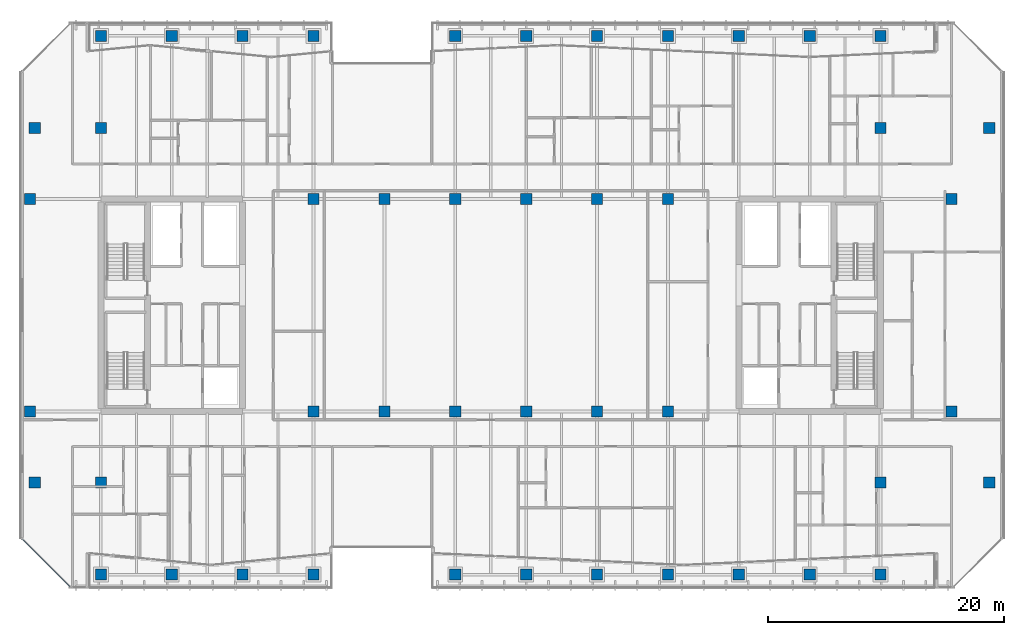
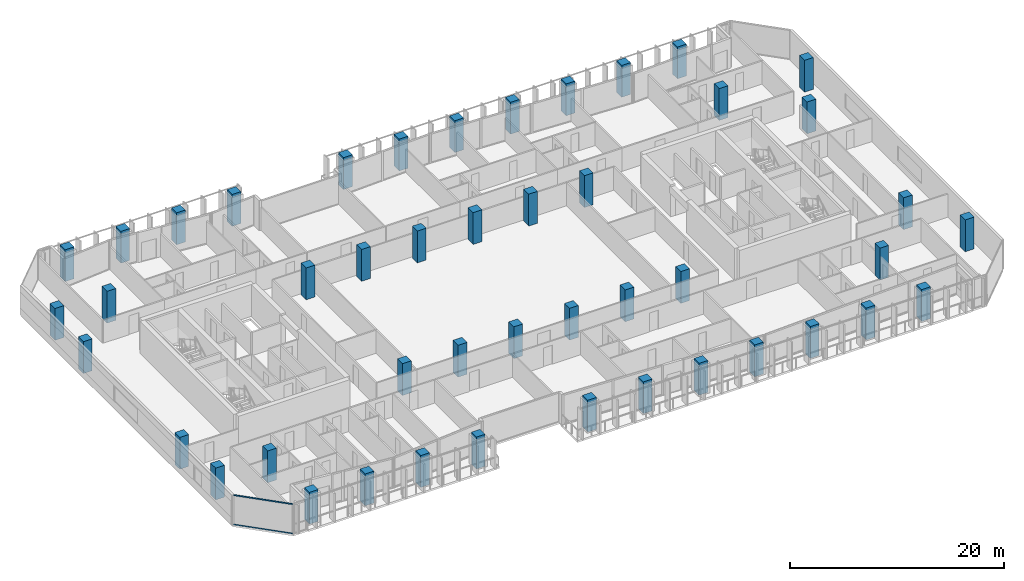
# One storey, part 1 of 39: 46 columns, 2 members, 1 element without a shape of its own.
"""IFC4 building model written with IfcOpenShell, lengths in metres."""

from ifc_helpers import new_model, si_unit, direction, frame, origin, origin_2d, place, context, subcontext, project, spatial, rectangle, hollow_rectangle, extrude, material, layer, layer_set, material_profile, profile_set, type_object, element, aggregate, save


model = new_model("IFC4")

# Units and contexts
model_context = context("Model", 3, precision=1e-05, world=origin(), true_north=direction((0.0, 1.0)))
body_context = subcontext(model_context, "Body", "Model", "MODEL_VIEW")
ifc_project = project(units=[si_unit("LENGTHUNIT", "METRE"), si_unit("AREAUNIT", "SQUARE_METRE"), si_unit("VOLUMEUNIT", "CUBIC_METRE"), si_unit("PLANEANGLEUNIT", "RADIAN"), si_unit("MASSUNIT", "GRAM", prefix="KILO")], contexts=[model_context])

# Site, building, storey
site_placement = place(None, origin())
site = spatial("IfcSite", under=ifc_project, at=site_placement, CompositionType="ELEMENT")
building_placement = place(site_placement, origin())
building = spatial("IfcBuilding", under=site, at=building_placement, Name="Tanjung Sevakor Pilgrim Tower", CompositionType="ELEMENT")
storey_placement = place(building_placement, frame((0.0, 0.0, 108.570068359375)))
storey = spatial("IfcBuildingStorey", under=building, at=storey_placement, Name="L30", CompositionType="ELEMENT", Elevation=108.570068359375)

# Columns
ifc_material_1 = material(Name="Concrete C60/75", Category="concrete")
ifc_material_profile_1 = material_profile(ifc_material_1, rectangle(XDim=0.949951171875, YDim=0.949951171875, at=origin_2d()))
ifc_profile_set_1 = profile_set([ifc_material_profile_1], Name="Concrete C60/75")
column_type = type_object("IfcColumnType", Name="COL-C-T950-RC_950x950", PredefinedType="COLUMN", material=ifc_profile_set_1)
for number, where, z_axis, x_axis, name in (
    (1, (18.0, 24.60009765625, 0.0), (0.0, 0.0, 1.0), (1.0, 0.0, 0.0), "L30 Column SPW-018-246"),
    (2, (18.0, 42.60009765625, 0.0), (0.0, 0.0, 1.0), (1.0, 0.0, 0.0), "L30 Column SPW-018-426"),
    (3, (42.0, 24.60009765625, 0.0), (0.0, 0.0, 1.0), (1.0, 0.0, 0.0), "L30 Column SPW-042-246"),
    (4, (42.0, 42.60009765625, 0.0), (0.0, 0.0, 1.0), (1.0, 0.0, 0.0), "L30 Column SPW-042-426"),
    (5, (48.0, 24.60009765625, 0.0), (0.0, 0.0, 1.0), (1.0, 0.0, 0.0), "L30 Column SPW-048-246"),
    (6, (48.0, 42.60009765625, 0.0), (0.0, 0.0, 1.0), (1.0, 0.0, 0.0), "L30 Column SPW-048-426"),
    (7, (54.0, 24.60009765625, 0.0), (0.0, 0.0, 1.0), (1.0, 0.0, 0.0), "L30 Column SPE-054-246"),
    (8, (54.0, 42.60009765625, 0.0), (0.0, 0.0, 1.0), (1.0, 0.0, 0.0), "L30 Column SPE-054-426"),
    (9, (60.0, 24.60009765625, 0.0), (0.0, 0.0, 1.0), (1.0, 0.0, 0.0), "L30 Column SPE-060-246"),
    (10, (60.0, 42.60009765625, 0.0), (0.0, 0.0, 1.0), (1.0, 0.0, 0.0), "L30 Column SPE-060-426"),
    (11, (66.0, 24.60009765625, 0.0), (0.0, 0.0, 1.0), (1.0, 0.0, 0.0), "L30 Column SPE-066-246"),
    (12, (66.0, 42.60009765625, 0.0), (0.0, 0.0, 1.0), (1.0, 0.0, 0.0), "L30 Column SPE-066-426"),
    (13, (72.0, 24.60009765625, 0.0), (0.0, 0.0, 1.0), (1.0, 0.0, 0.0), "L30 Column SPE-072-246"),
    (14, (72.0, 42.60009765625, 0.0), (0.0, 0.0, 1.0), (1.0, 0.0, 0.0), "L30 Column SPE-072-426"),
    (15, (96.0, 24.60009765625, 0.0), (0.0, 0.0, 1.0), (1.0, 0.0, 0.0), "L30 Column SPE-096-246"),
    (16, (96.0, 42.60009765625, 0.0), (0.0, 0.0, 1.0), (1.0, 0.0, 0.0), "L30 Column SPE-096-426"),
    (17, (18.39990234375, 18.60009765625, 0.0), (0.0, 0.0, 1.0), (1.0, 0.0, 0.0), "L30 Column TCE-0184-186"),
    (18, (18.39990234375, 48.60009765625, 0.0), (0.0, 0.0, 1.0), (1.0, 0.0, 0.0), "L30 Column TCE-0184-486"),
    (19, (24.0, 18.60009765625, 0.0), (0.0, 0.0, 1.0), (1.0, 0.0, 0.0), "L30 Column TCE-0240-186"),
    (20, (24.0, 48.60009765625, 0.0), (0.0, 0.0, 1.0), (1.0, 0.0, 0.0), "L30 Column TCE-0240-486"),
    (21, (90.0, 18.60009765625, 0.0), (0.0, 0.0, 1.0), (1.0, 0.0, 0.0), "L30 Column TCE-0900-186"),
    (22, (90.0, 48.60009765625, 0.0), (0.0, 0.0, 1.0), (1.0, 0.0, 0.0), "L30 Column TCE-0900-486"),
    (23, (99.199951171875, 18.60009765625, 0.0), (0.0, 0.0, 1.0), (1.0, 0.0, 0.0), "L30 Column TCE-0992-186"),
    (24, (99.199951171875, 48.60009765625, 0.0), (0.0, 0.0, 1.0), (1.0, 0.0, 0.0), "L30 Column TCE-0992-486"),
    (25, (24.0, 10.800048828125, 0.0), (0.0, 0.0, 1.0), (1.0, 0.0, 0.0), "L30 Column TC2-024-108"),
    (26, (24.0, 56.39990234375, 0.0), (0.0, 0.0, 1.0), (1.0, 0.0, 0.0), "L30 Column TC2-024-564"),
    (27, (30.0, 10.800048828125, 0.0), (0.0, 0.0, 1.0), (1.0, 0.0, 0.0), "L30 Column TC2-030-108"),
    (28, (30.0, 56.39990234375, 0.0), (0.0, 0.0, 1.0), (1.0, 0.0, 0.0), "L30 Column TC2-030-564"),
    (29, (36.0, 10.800048828125, 0.0), (0.0, 0.0, 1.0), (1.0, 0.0, 0.0), "L30 Column TC2-036-108"),
    (30, (36.0, 56.39990234375, 0.0), (0.0, 0.0, 1.0), (1.0, 0.0, 0.0), "L30 Column TC2-036-564"),
    (31, (42.0, 10.800048828125, 0.0), (0.0, 0.0, 1.0), (1.0, 0.0, 0.0), "L30 Column TC2-042-108"),
    (32, (42.0, 56.39990234375, 0.0), (0.0, 0.0, 1.0), (1.0, 0.0, 0.0), "L30 Column TC2-042-564"),
    (33, (54.0, 10.800048828125, 0.0), (0.0, 0.0, 1.0), (1.0, 0.0, 0.0), "L30 Column TC2-054-108"),
    (34, (54.0, 56.39990234375, 0.0), (0.0, 0.0, 1.0), (1.0, 0.0, 0.0), "L30 Column TC2-054-564"),
    (35, (60.0, 10.800048828125, 0.0), (0.0, 0.0, 1.0), (1.0, 0.0, 0.0), "L30 Column TC2-060-108"),
    (36, (60.0, 56.39990234375, 0.0), (0.0, 0.0, 1.0), (1.0, 0.0, 0.0), "L30 Column TC2-060-564"),
    (37, (66.0, 10.800048828125, 0.0), (0.0, 0.0, 1.0), (1.0, 0.0, 0.0), "L30 Column TC2-066-108"),
    (38, (66.0, 56.39990234375, 0.0), (0.0, 0.0, 1.0), (1.0, 0.0, 0.0), "L30 Column TC2-066-564"),
    (39, (72.0, 10.800048828125, 0.0), (0.0, 0.0, 1.0), (1.0, 0.0, 0.0), "L30 Column TC2-072-108"),
    (40, (72.0, 56.39990234375, 0.0), (0.0, 0.0, 1.0), (1.0, 0.0, 0.0), "L30 Column TC2-072-564"),
    (41, (78.0, 10.800048828125, 0.0), (0.0, 0.0, 1.0), (1.0, 0.0, 0.0), "L30 Column TC2-078-108"),
    (42, (78.0, 56.39990234375, 0.0), (0.0, 0.0, 1.0), (1.0, 0.0, 0.0), "L30 Column TC2-078-564"),
    (43, (84.0, 10.800048828125, 0.0), (0.0, 0.0, 1.0), (1.0, 0.0, 0.0), "L30 Column TC2-084-108"),
    (44, (84.0, 56.39990234375, 0.0), (0.0, 0.0, 1.0), (1.0, 0.0, 0.0), "L30 Column TC2-084-564"),
    (45, (90.0, 10.800048828125, 0.0), (0.0, 0.0, 1.0), (1.0, 0.0, 0.0), "L30 Column TC2-090-108"),
    (46, (90.0, 56.39990234375, 0.0), (0.0, 0.0, 1.0), (1.0, 0.0, 0.0), "L30 Column TC2-090-564"),
):
    element("IfcColumn", number, at=place(storey_placement, frame(where, z_axis=z_axis, x_axis=x_axis)), inside=storey, type_object=column_type, Name=name, PredefinedType="COLUMN", context=body_context, shape_type="SweptSolid", body=[
        extrude(rectangle(XDim=0.949951171875, YDim=0.949951171875, at=origin_2d()), origin(), (0.0, 0.0, 1.0), 3.6298828125),
    ])

# Curtain wall, members
ifc_material_2 = material(Name="Aluminium 6063-T6 and Low-E Glass", Category="aluminium")
ifc_layer = layer(ifc_material_2, 0.179931640625)
ifc_layer_set = layer_set([ifc_layer], Name="CW-SYS-CHAM")
curtain_wall_type = type_object("IfcCurtainWallType", Name="CW-SYS-CHAM", PredefinedType="NOTDEFINED", material=ifc_layer_set)
curtain_wall_placement = place(storey_placement, origin())
curtain_wall = element("IfcCurtainWall", 47, at=curtain_wall_placement, inside=storey, type_object=curtain_wall_type, Name="L30 Curtain Wall CW-CHM-L30-MAIN-35", PredefinedType="NOTDEFINED")
ifc_material_3 = material(Name="Aluminium 6063-T6", Category="aluminium")
ifc_material_profile_2 = material_profile(ifc_material_3, hollow_rectangle(XDim=0.06494140625, YDim=0.139892578125, WallThickness=0.00390625, at=origin_2d()))
ifc_profile_set_2 = profile_set([ifc_material_profile_2], Name="Aluminium 6063-T6")
member_type = type_object("IfcMemberType", Name="TYPE-CWT-1", PredefinedType="USERDEFINED", material=ifc_profile_set_2)
member_1_placement = place(storey_placement, frame((17.370849609375, 13.805908203125, 0.032470703125), z_axis=(0.707106781187, -0.707106781187, 0.0), x_axis=(0.707106781187, 0.707106781187, 0.0)))
member_1 = element("IfcMember", 48, at=member_1_placement, type_object=member_type, Name="CW-CHM transom 1.1", ObjectType="TRANSOM", PredefinedType="USERDEFINED", context=body_context, shape_type="SweptSolid", body=[
    extrude(hollow_rectangle(XDim=0.06494140625, YDim=0.139892578125, WallThickness=0.00390625, at=origin_2d()), origin(), (0.0, 0.0, 1.0), 5.706298828125),
])
member_2_placement = place(storey_placement, frame((17.370849609375, 13.805908203125, 3.37744140625), z_axis=(0.707106781187, -0.707106781187, 0.0), x_axis=(0.707106781187, 0.707106781187, 0.0)))
member_2 = element("IfcMember", 49, at=member_2_placement, type_object=member_type, Name="CW-CHM transom 1.2", ObjectType="TRANSOM", PredefinedType="USERDEFINED", context=body_context, shape_type="SweptSolid", body=[
    extrude(hollow_rectangle(XDim=0.06494140625, YDim=0.139892578125, WallThickness=0.00390625, at=origin_2d()), origin(), (0.0, 0.0, 1.0), 5.706298828125),
])
aggregate(curtain_wall, [member_1, member_2])

save(model, "model.ifc")
